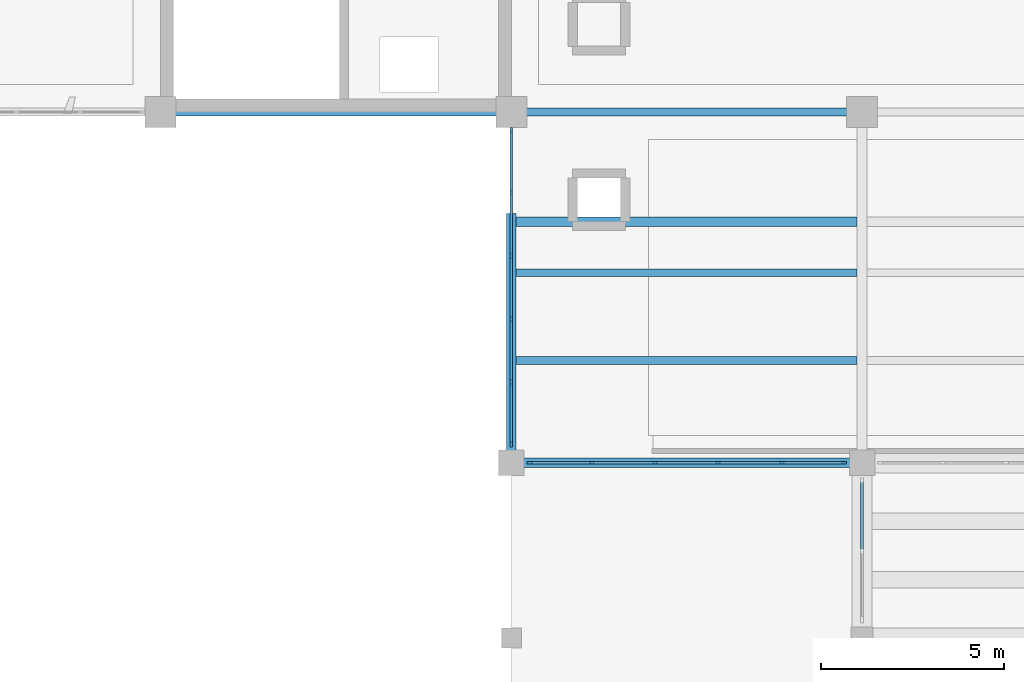
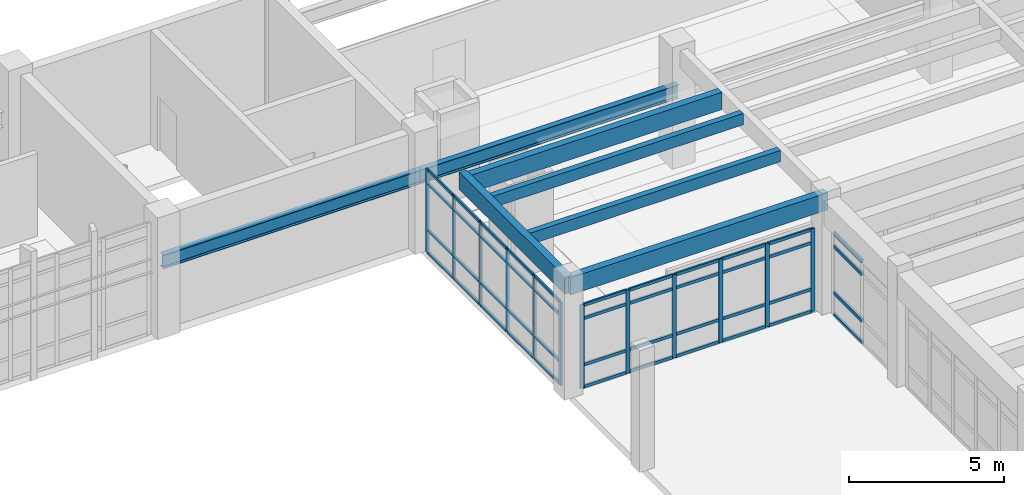
# One storey, part 40 of 86: 56 members, 7 beams, 3 elements without a shape of their own.
"""IFC4 building model written with IfcOpenShell, lengths in metres."""

from ifc_helpers import new_model, si_unit, direction, frame, origin, origin_2d, place, context, subcontext, project, spatial, rectangle, i_section, extrude, material, layer, layer_set, material_profile, profile_set, type_object, element, aggregate, save


model = new_model("IFC4")

# Units and contexts
model_context = context("Model", 3, precision=1e-05, world=origin(), true_north=direction((0.0, 1.0)))
body_context = subcontext(model_context, "Body", "Model", "MODEL_VIEW")
ifc_project = project(units=[si_unit("LENGTHUNIT", "METRE"), si_unit("AREAUNIT", "SQUARE_METRE"), si_unit("VOLUMEUNIT", "CUBIC_METRE"), si_unit("PLANEANGLEUNIT", "RADIAN"), si_unit("MASSUNIT", "GRAM", prefix="KILO")], contexts=[model_context])

# Site, building, storey
site_placement = place(None, origin())
site = spatial("IfcSite", under=ifc_project, at=site_placement, CompositionType="ELEMENT")
building_placement = place(site_placement, origin())
building = spatial("IfcBuilding", under=site, at=building_placement, Name="Kolvemor Railside Polytechnic", CompositionType="ELEMENT")
storey_placement = place(building_placement, frame((0.0, 0.0, 5.39990234375)))
storey = spatial("IfcBuildingStorey", under=building, at=storey_placement, Name="L01", CompositionType="ELEMENT", Elevation=5.39990234375)

# Beams
ifc_material_1 = material(Name="Glulam GL28h", Category="wood")
ifc_material_profile_1 = material_profile(ifc_material_1, rectangle(XDim=0.264892578125, YDim=0.679931640625, at=origin_2d()), Name="GL265x680")
ifc_profile_set_1 = profile_set([ifc_material_profile_1], Name="Glulam GL28h")
beam_type_1 = type_object("IfcBeamType", Name="BM-GL-GIRD2", PredefinedType="BEAM", material=ifc_profile_set_1)
beam_1_placement = place(storey_placement, frame((134.39990234375, 81.60009765625, 4.2451171875), z_axis=(1.0, 0.0, 0.0), x_axis=(0.0, 1.0, 0.0)))
element("IfcBeam", 1, at=beam_1_placement, inside=storey, type_object=beam_type_1, Name="Link Roof Girder GX 1083", PredefinedType="BEAM", context=body_context, shape_type="SweptSolid", body=[
    extrude(rectangle(XDim=0.264892578125, YDim=0.679931640625, at=origin_2d()), origin(), (0.0, 0.0, 1.0), 9.60009765625),
])
beam_2_placement = place(storey_placement, frame((134.532958984375, 88.199951171875, 4.2451171875), z_axis=(1.0, 0.0, 0.0), x_axis=(0.0, 1.0, 0.0)))
element("IfcBeam", 2, at=beam_2_placement, inside=storey, type_object=beam_type_1, Name="Link Roof North Joist 1084", PredefinedType="BEAM", context=body_context, shape_type="SweptSolid", body=[
    extrude(rectangle(XDim=0.264892578125, YDim=0.679931640625, at=origin_2d()), origin(), (0.0, 0.0, 1.0), 9.333984375),
])
beam_3_placement = place(storey_placement, frame((134.39990234375, 81.60009765625, 4.2451171875), z_axis=(0.0, 1.0, 0.0), x_axis=(-1.0, 0.0, 0.0)))
element("IfcBeam", 3, at=beam_3_placement, inside=storey, type_object=beam_type_1, Name="Link Roof Girder GY 1087", PredefinedType="BEAM", context=body_context, shape_type="SweptSolid", body=[
    extrude(rectangle(XDim=0.264892578125, YDim=0.679931640625, at=origin_2d()), origin(), (0.0, 0.0, 1.0), 6.81982421875),
])
ifc_material_2 = material(Name="Glulam GL28h", Category="wood")
ifc_material_profile_2 = material_profile(ifc_material_2, rectangle(XDim=0.215087890625, YDim=0.449951171875, at=origin_2d()), Name="GL215x450")
ifc_profile_set_2 = profile_set([ifc_material_profile_2], Name="Glulam GL28h")
beam_type_2 = type_object("IfcBeamType", Name="BM-GL-JST2", PredefinedType="JOIST", material=ifc_profile_set_2)
for number, where, z_axis, x_axis, name in (
    (4, (134.532958984375, 84.39990234375, 4.360107421875), (1.0, 0.0, 0.0), (0.0, 1.0, 0.0), "Link Roof Joist 1091"),
    (5, (134.532958984375, 86.800048828125, 4.360107421875), (1.0, 0.0, 0.0), (0.0, 1.0, 0.0), "Link Roof Joist 1092"),
):
    element("IfcBeam", number, at=place(storey_placement, frame(where, z_axis=z_axis, x_axis=x_axis)), inside=storey, type_object=beam_type_2, Name=name, PredefinedType="JOIST", context=body_context, shape_type="SweptSolid", body=[
        extrude(rectangle(XDim=0.215087890625, YDim=0.449951171875, at=origin_2d()), origin(), (0.0, 0.0, 1.0), 9.333984375),
    ])
ifc_material_3 = material(Name="Steel S355", Category="steel")
ifc_material_profile_3 = material_profile(ifc_material_3, i_section(OverallWidth=0.2109375, OverallDepth=0.5390625, WebThickness=0.01171875, FlangeThickness=0.018798828125, FilletRadius=0.013916015625, at=origin_2d()), Name="W530x109")
ifc_profile_set_3 = profile_set([ifc_material_profile_3], Name="Steel S355")
beam_type_3 = type_object("IfcBeamType", Name="BM-ST-CRANE2", PredefinedType="BEAM", material=ifc_profile_set_3)
beam_4_placement = place(storey_placement, frame((124.800048828125, 91.199951171875, 2.730712890625), z_axis=(1.0, 0.0, 0.0), x_axis=(0.0, 1.0, 0.0)))
element("IfcBeam", 6, at=beam_4_placement, inside=storey, type_object=beam_type_3, Name="Workshop Header Steel Girder CRG-G12", PredefinedType="BEAM", context=body_context, shape_type="SweptSolid", body=[
    extrude(i_section(OverallWidth=0.2109375, OverallDepth=0.5390625, WebThickness=0.01171875, FlangeThickness=0.018798828125, FilletRadius=0.013916015625, at=origin_2d()), origin(), (0.0, 0.0, 1.0), 9.599853515625),
])
beam_5_placement = place(storey_placement, frame((134.39990234375, 91.199951171875, 2.730712890625), z_axis=(1.0, 0.0, 0.0), x_axis=(0.0, 1.0, 0.0)))
element("IfcBeam", 7, at=beam_5_placement, inside=storey, type_object=beam_type_3, Name="Workshop Header Steel Girder CRG-G13", PredefinedType="BEAM", context=body_context, shape_type="SweptSolid", body=[
    extrude(i_section(OverallWidth=0.2109375, OverallDepth=0.5390625, WebThickness=0.01171875, FlangeThickness=0.018798828125, FilletRadius=0.013916015625, at=origin_2d()), origin(), (0.0, 0.0, 1.0), 9.60009765625),
])

# Curtain wall, members
ifc_material_4 = material(Name="Anodised marine aluminium and laminated low-E glass", Category="aluminium")
ifc_layer = layer(ifc_material_4, 0.179931640625, Name="CW-UNIT-STD")
ifc_layer_set = layer_set([ifc_layer], Name="Anodised marine aluminium and laminated low-E glass")
curtain_wall_type = type_object("IfcCurtainWallType", Name="CW-UNIT-STD", PredefinedType="USERDEFINED", material=ifc_layer_set)
curtain_wall_1_placement = place(storey_placement, origin())
curtain_wall_1 = element("IfcCurtainWall", 8, at=curtain_wall_1_placement, inside=storey, type_object=curtain_wall_type, Name="Curtain Wall L01-039", ObjectType="UNITISED CURTAIN WALL", PredefinedType="USERDEFINED")
ifc_material_5 = material(Name="Anodised marine aluminium 6063-T6", Category="aluminium")
ifc_material_profile_4 = material_profile(ifc_material_5, rectangle(XDim=0.06494140625, YDim=0.14990234375, at=origin_2d()), Name="CW-MUL-65x150")
ifc_profile_set_4 = profile_set([ifc_material_profile_4], Name="Anodised marine aluminium 6063-T6")
member_type_1 = type_object("IfcMemberType", Name="CWM-65x150", PredefinedType="MULLION", material=ifc_profile_set_4)
member_1_placement = place(storey_placement, frame((143.49755859375, 81.60009765625, 0.0), z_axis=(0.0, 0.0, 1.0), x_axis=(0.0, -1.0, 0.0)))
member_1 = element("IfcMember", 9, at=member_1_placement, type_object=member_type_1, Name="CW-STD mullion 1", PredefinedType="MULLION", context=body_context, shape_type="SweptSolid", body=[
    extrude(rectangle(XDim=0.06494140625, YDim=0.14990234375, at=origin_2d()), origin(), (0.0, 0.0, 1.0), 3.280029296875),
])
member_2_placement = place(storey_placement, frame((141.798095703125, 81.60009765625, 0.0), z_axis=(0.0, 0.0, 1.0), x_axis=(0.0, -1.0, 0.0)))
member_2 = element("IfcMember", 10, at=member_2_placement, type_object=member_type_1, Name="CW-STD mullion 2", PredefinedType="MULLION", context=body_context, shape_type="SweptSolid", body=[
    extrude(rectangle(XDim=0.06494140625, YDim=0.14990234375, at=origin_2d()), origin(), (0.0, 0.0, 1.0), 3.280029296875),
])
member_3_placement = place(storey_placement, frame((140.06591796875, 81.60009765625, 0.0), z_axis=(0.0, 0.0, 1.0), x_axis=(0.0, -1.0, 0.0)))
member_3 = element("IfcMember", 11, at=member_3_placement, type_object=member_type_1, Name="CW-STD mullion 3", PredefinedType="MULLION", context=body_context, shape_type="SweptSolid", body=[
    extrude(rectangle(XDim=0.06494140625, YDim=0.14990234375, at=origin_2d()), origin(), (0.0, 0.0, 1.0), 3.280029296875),
])
member_4_placement = place(storey_placement, frame((138.333984375, 81.60009765625, 0.0), z_axis=(0.0, 0.0, 1.0), x_axis=(0.0, -1.0, 0.0)))
member_4 = element("IfcMember", 12, at=member_4_placement, type_object=member_type_1, Name="CW-STD mullion 4", PredefinedType="MULLION", context=body_context, shape_type="SweptSolid", body=[
    extrude(rectangle(XDim=0.06494140625, YDim=0.14990234375, at=origin_2d()), origin(), (0.0, 0.0, 1.0), 3.280029296875),
])
member_5_placement = place(storey_placement, frame((136.60205078125, 81.60009765625, 0.0), z_axis=(0.0, 0.0, 1.0), x_axis=(0.0, -1.0, 0.0)))
member_5 = element("IfcMember", 13, at=member_5_placement, type_object=member_type_1, Name="CW-STD mullion 5", PredefinedType="MULLION", context=body_context, shape_type="SweptSolid", body=[
    extrude(rectangle(XDim=0.06494140625, YDim=0.14990234375, at=origin_2d()), origin(), (0.0, 0.0, 1.0), 3.280029296875),
])
member_6_placement = place(storey_placement, frame((134.902587890625, 81.60009765625, 0.0), z_axis=(0.0, 0.0, 1.0), x_axis=(0.0, -1.0, 0.0)))
member_6 = element("IfcMember", 14, at=member_6_placement, type_object=member_type_1, Name="CW-STD mullion 6", PredefinedType="MULLION", context=body_context, shape_type="SweptSolid", body=[
    extrude(rectangle(XDim=0.06494140625, YDim=0.14990234375, at=origin_2d()), origin(), (0.0, 0.0, 1.0), 3.280029296875),
])

curtain_wall_2_placement = place(storey_placement, origin())
curtain_wall_2 = element("IfcCurtainWall", 15, at=curtain_wall_2_placement, inside=storey, type_object=curtain_wall_type, Name="Curtain Wall L01-045", ObjectType="UNITISED CURTAIN WALL", PredefinedType="USERDEFINED")
member_7_placement = place(storey_placement, frame((134.39990234375, 90.697509765625, 0.0), z_axis=(0.0, 0.0, 1.0), x_axis=(1.0, 0.0, 0.0)))
member_7 = element("IfcMember", 16, at=member_7_placement, type_object=member_type_1, Name="CW-STD mullion 1", PredefinedType="MULLION", context=body_context, shape_type="SweptSolid", body=[
    extrude(rectangle(XDim=0.06494140625, YDim=0.14990234375, at=origin_2d()), origin(), (0.0, 0.0, 1.0), 3.280029296875),
])
member_8_placement = place(storey_placement, frame((134.39990234375, 88.998046875, 0.0), z_axis=(0.0, 0.0, 1.0), x_axis=(1.0, 0.0, 0.0)))
member_8 = element("IfcMember", 17, at=member_8_placement, type_object=member_type_1, Name="CW-STD mullion 2", PredefinedType="MULLION", context=body_context, shape_type="SweptSolid", body=[
    extrude(rectangle(XDim=0.06494140625, YDim=0.14990234375, at=origin_2d()), origin(), (0.0, 0.0, 1.0), 3.280029296875),
])
member_9_placement = place(storey_placement, frame((134.39990234375, 87.26611328125, 0.0), z_axis=(0.0, 0.0, 1.0), x_axis=(1.0, 0.0, 0.0)))
member_9 = element("IfcMember", 18, at=member_9_placement, type_object=member_type_1, Name="CW-STD mullion 3", PredefinedType="MULLION", context=body_context, shape_type="SweptSolid", body=[
    extrude(rectangle(XDim=0.06494140625, YDim=0.14990234375, at=origin_2d()), origin(), (0.0, 0.0, 1.0), 3.280029296875),
])
member_10_placement = place(storey_placement, frame((134.39990234375, 85.533935546875, 0.0), z_axis=(0.0, 0.0, 1.0), x_axis=(1.0, 0.0, 0.0)))
member_10 = element("IfcMember", 19, at=member_10_placement, type_object=member_type_1, Name="CW-STD mullion 4", PredefinedType="MULLION", context=body_context, shape_type="SweptSolid", body=[
    extrude(rectangle(XDim=0.06494140625, YDim=0.14990234375, at=origin_2d()), origin(), (0.0, 0.0, 1.0), 3.280029296875),
])
member_11_placement = place(storey_placement, frame((134.39990234375, 83.802001953125, 0.0), z_axis=(0.0, 0.0, 1.0), x_axis=(1.0, 0.0, 0.0)))
member_11 = element("IfcMember", 20, at=member_11_placement, type_object=member_type_1, Name="CW-STD mullion 5", PredefinedType="MULLION", context=body_context, shape_type="SweptSolid", body=[
    extrude(rectangle(XDim=0.06494140625, YDim=0.14990234375, at=origin_2d()), origin(), (0.0, 0.0, 1.0), 3.280029296875),
])
member_12_placement = place(storey_placement, frame((134.39990234375, 82.1025390625, 0.0), z_axis=(0.0, 0.0, 1.0), x_axis=(1.0, 0.0, 0.0)))
member_12 = element("IfcMember", 21, at=member_12_placement, type_object=member_type_1, Name="CW-STD mullion 6", PredefinedType="MULLION", context=body_context, shape_type="SweptSolid", body=[
    extrude(rectangle(XDim=0.06494140625, YDim=0.14990234375, at=origin_2d()), origin(), (0.0, 0.0, 1.0), 3.280029296875),
])

# Member
ifc_material_6 = material(Name="Anodised marine aluminium 6063-T6", Category="aluminium")
ifc_material_profile_5 = material_profile(ifc_material_6, rectangle(XDim=0.06494140625, YDim=0.1201171875, at=origin_2d()), Name="CW-TRN-65x120")
ifc_profile_set_5 = profile_set([ifc_material_profile_5], Name="Anodised marine aluminium 6063-T6")
member_type_2 = type_object("IfcMemberType", Name="CWT-65x120", PredefinedType="USERDEFINED", material=ifc_profile_set_5)
member_13_placement = place(storey_placement, frame((143.465087890625, 81.60009765625, 0.03271484375), z_axis=(-1.0, 0.0, 0.0), x_axis=(0.0, -1.0, 0.0)))
member_13 = element("IfcMember", 22, at=member_13_placement, type_object=member_type_2, Name="CW-STD transom 1.1", ObjectType="TRANSOM", PredefinedType="USERDEFINED", context=body_context, shape_type="SweptSolid", body=[
    extrude(rectangle(XDim=0.06494140625, YDim=0.1201171875, at=origin_2d()), origin(), (0.0, 0.0, 1.0), 1.634521484375),
])

member_14_placement = place(storey_placement, frame((143.465087890625, 81.60009765625, 0.900146484375), z_axis=(-1.0, 0.0, 0.0), x_axis=(0.0, -1.0, 0.0)))
member_14 = element("IfcMember", 23, at=member_14_placement, type_object=member_type_2, Name="CW-STD transom 1.2", ObjectType="TRANSOM", PredefinedType="USERDEFINED", context=body_context, shape_type="SweptSolid", body=[
    extrude(rectangle(XDim=0.06494140625, YDim=0.1201171875, at=origin_2d()), origin(), (0.0, 0.0, 1.0), 1.634521484375),
])

member_15_placement = place(storey_placement, frame((143.465087890625, 81.60009765625, 2.72998046875), z_axis=(-1.0, 0.0, 0.0), x_axis=(0.0, -1.0, 0.0)))
member_15 = element("IfcMember", 24, at=member_15_placement, type_object=member_type_2, Name="CW-STD transom 1.3", ObjectType="TRANSOM", PredefinedType="USERDEFINED", context=body_context, shape_type="SweptSolid", body=[
    extrude(rectangle(XDim=0.06494140625, YDim=0.1201171875, at=origin_2d()), origin(), (0.0, 0.0, 1.0), 1.634521484375),
])

member_16_placement = place(storey_placement, frame((143.465087890625, 81.60009765625, 3.24755859375), z_axis=(-1.0, 0.0, 0.0), x_axis=(0.0, -1.0, 0.0)))
member_16 = element("IfcMember", 25, at=member_16_placement, type_object=member_type_2, Name="CW-STD transom 1.4", ObjectType="TRANSOM", PredefinedType="USERDEFINED", context=body_context, shape_type="SweptSolid", body=[
    extrude(rectangle(XDim=0.06494140625, YDim=0.1201171875, at=origin_2d()), origin(), (0.0, 0.0, 1.0), 1.634521484375),
])

member_17_placement = place(storey_placement, frame((141.765380859375, 81.60009765625, 0.03271484375), z_axis=(-1.0, 0.0, 0.0), x_axis=(0.0, -1.0, 0.0)))
member_17 = element("IfcMember", 26, at=member_17_placement, type_object=member_type_2, Name="CW-STD transom 2.1", ObjectType="TRANSOM", PredefinedType="USERDEFINED", context=body_context, shape_type="SweptSolid", body=[
    extrude(rectangle(XDim=0.06494140625, YDim=0.1201171875, at=origin_2d()), origin(), (0.0, 0.0, 1.0), 1.6669921875),
])

member_18_placement = place(storey_placement, frame((141.765380859375, 81.60009765625, 0.900146484375), z_axis=(-1.0, 0.0, 0.0), x_axis=(0.0, -1.0, 0.0)))
member_18 = element("IfcMember", 27, at=member_18_placement, type_object=member_type_2, Name="CW-STD transom 2.2", ObjectType="TRANSOM", PredefinedType="USERDEFINED", context=body_context, shape_type="SweptSolid", body=[
    extrude(rectangle(XDim=0.06494140625, YDim=0.1201171875, at=origin_2d()), origin(), (0.0, 0.0, 1.0), 1.6669921875),
])

member_19_placement = place(storey_placement, frame((141.765380859375, 81.60009765625, 2.72998046875), z_axis=(-1.0, 0.0, 0.0), x_axis=(0.0, -1.0, 0.0)))
member_19 = element("IfcMember", 28, at=member_19_placement, type_object=member_type_2, Name="CW-STD transom 2.3", ObjectType="TRANSOM", PredefinedType="USERDEFINED", context=body_context, shape_type="SweptSolid", body=[
    extrude(rectangle(XDim=0.06494140625, YDim=0.1201171875, at=origin_2d()), origin(), (0.0, 0.0, 1.0), 1.6669921875),
])

member_20_placement = place(storey_placement, frame((141.765380859375, 81.60009765625, 3.24755859375), z_axis=(-1.0, 0.0, 0.0), x_axis=(0.0, -1.0, 0.0)))
member_20 = element("IfcMember", 29, at=member_20_placement, type_object=member_type_2, Name="CW-STD transom 2.4", ObjectType="TRANSOM", PredefinedType="USERDEFINED", context=body_context, shape_type="SweptSolid", body=[
    extrude(rectangle(XDim=0.06494140625, YDim=0.1201171875, at=origin_2d()), origin(), (0.0, 0.0, 1.0), 1.6669921875),
])

member_21_placement = place(storey_placement, frame((140.033447265625, 81.60009765625, 0.03271484375), z_axis=(-1.0, 0.0, 0.0), x_axis=(0.0, -1.0, 0.0)))
member_21 = element("IfcMember", 30, at=member_21_placement, type_object=member_type_2, Name="CW-STD transom 3.1", ObjectType="TRANSOM", PredefinedType="USERDEFINED", context=body_context, shape_type="SweptSolid", body=[
    extrude(rectangle(XDim=0.06494140625, YDim=0.1201171875, at=origin_2d()), origin(), (0.0, 0.0, 1.0), 1.6669921875),
])

member_22_placement = place(storey_placement, frame((140.033447265625, 81.60009765625, 0.900146484375), z_axis=(-1.0, 0.0, 0.0), x_axis=(0.0, -1.0, 0.0)))
member_22 = element("IfcMember", 31, at=member_22_placement, type_object=member_type_2, Name="CW-STD transom 3.2", ObjectType="TRANSOM", PredefinedType="USERDEFINED", context=body_context, shape_type="SweptSolid", body=[
    extrude(rectangle(XDim=0.06494140625, YDim=0.1201171875, at=origin_2d()), origin(), (0.0, 0.0, 1.0), 1.6669921875),
])

member_23_placement = place(storey_placement, frame((140.033447265625, 81.60009765625, 2.72998046875), z_axis=(-1.0, 0.0, 0.0), x_axis=(0.0, -1.0, 0.0)))
member_23 = element("IfcMember", 32, at=member_23_placement, type_object=member_type_2, Name="CW-STD transom 3.3", ObjectType="TRANSOM", PredefinedType="USERDEFINED", context=body_context, shape_type="SweptSolid", body=[
    extrude(rectangle(XDim=0.06494140625, YDim=0.1201171875, at=origin_2d()), origin(), (0.0, 0.0, 1.0), 1.6669921875),
])

member_24_placement = place(storey_placement, frame((140.033447265625, 81.60009765625, 3.24755859375), z_axis=(-1.0, 0.0, 0.0), x_axis=(0.0, -1.0, 0.0)))
member_24 = element("IfcMember", 33, at=member_24_placement, type_object=member_type_2, Name="CW-STD transom 3.4", ObjectType="TRANSOM", PredefinedType="USERDEFINED", context=body_context, shape_type="SweptSolid", body=[
    extrude(rectangle(XDim=0.06494140625, YDim=0.1201171875, at=origin_2d()), origin(), (0.0, 0.0, 1.0), 1.6669921875),
])

member_25_placement = place(storey_placement, frame((138.301513671875, 81.60009765625, 0.03271484375), z_axis=(-1.0, 0.0, 0.0), x_axis=(0.0, -1.0, 0.0)))
member_25 = element("IfcMember", 34, at=member_25_placement, type_object=member_type_2, Name="CW-STD transom 4.1", ObjectType="TRANSOM", PredefinedType="USERDEFINED", context=body_context, shape_type="SweptSolid", body=[
    extrude(rectangle(XDim=0.06494140625, YDim=0.1201171875, at=origin_2d()), origin(), (0.0, 0.0, 1.0), 1.6669921875),
])

member_26_placement = place(storey_placement, frame((138.301513671875, 81.60009765625, 0.900146484375), z_axis=(-1.0, 0.0, 0.0), x_axis=(0.0, -1.0, 0.0)))
member_26 = element("IfcMember", 35, at=member_26_placement, type_object=member_type_2, Name="CW-STD transom 4.2", ObjectType="TRANSOM", PredefinedType="USERDEFINED", context=body_context, shape_type="SweptSolid", body=[
    extrude(rectangle(XDim=0.06494140625, YDim=0.1201171875, at=origin_2d()), origin(), (0.0, 0.0, 1.0), 1.6669921875),
])

member_27_placement = place(storey_placement, frame((138.301513671875, 81.60009765625, 2.72998046875), z_axis=(-1.0, 0.0, 0.0), x_axis=(0.0, -1.0, 0.0)))
member_27 = element("IfcMember", 36, at=member_27_placement, type_object=member_type_2, Name="CW-STD transom 4.3", ObjectType="TRANSOM", PredefinedType="USERDEFINED", context=body_context, shape_type="SweptSolid", body=[
    extrude(rectangle(XDim=0.06494140625, YDim=0.1201171875, at=origin_2d()), origin(), (0.0, 0.0, 1.0), 1.6669921875),
])

member_28_placement = place(storey_placement, frame((138.301513671875, 81.60009765625, 3.24755859375), z_axis=(-1.0, 0.0, 0.0), x_axis=(0.0, -1.0, 0.0)))
member_28 = element("IfcMember", 37, at=member_28_placement, type_object=member_type_2, Name="CW-STD transom 4.4", ObjectType="TRANSOM", PredefinedType="USERDEFINED", context=body_context, shape_type="SweptSolid", body=[
    extrude(rectangle(XDim=0.06494140625, YDim=0.1201171875, at=origin_2d()), origin(), (0.0, 0.0, 1.0), 1.6669921875),
])

member_29_placement = place(storey_placement, frame((136.569580078125, 81.60009765625, 0.03271484375), z_axis=(-1.0, 0.0, 0.0), x_axis=(0.0, -1.0, 0.0)))
member_29 = element("IfcMember", 38, at=member_29_placement, type_object=member_type_2, Name="CW-STD transom 5.1", ObjectType="TRANSOM", PredefinedType="USERDEFINED", context=body_context, shape_type="SweptSolid", body=[
    extrude(rectangle(XDim=0.06494140625, YDim=0.1201171875, at=origin_2d()), origin(), (0.0, 0.0, 1.0), 1.634521484375),
])

member_30_placement = place(storey_placement, frame((136.569580078125, 81.60009765625, 0.900146484375), z_axis=(-1.0, 0.0, 0.0), x_axis=(0.0, -1.0, 0.0)))
member_30 = element("IfcMember", 39, at=member_30_placement, type_object=member_type_2, Name="CW-STD transom 5.2", ObjectType="TRANSOM", PredefinedType="USERDEFINED", context=body_context, shape_type="SweptSolid", body=[
    extrude(rectangle(XDim=0.06494140625, YDim=0.1201171875, at=origin_2d()), origin(), (0.0, 0.0, 1.0), 1.634521484375),
])

member_31_placement = place(storey_placement, frame((136.569580078125, 81.60009765625, 2.72998046875), z_axis=(-1.0, 0.0, 0.0), x_axis=(0.0, -1.0, 0.0)))
member_31 = element("IfcMember", 40, at=member_31_placement, type_object=member_type_2, Name="CW-STD transom 5.3", ObjectType="TRANSOM", PredefinedType="USERDEFINED", context=body_context, shape_type="SweptSolid", body=[
    extrude(rectangle(XDim=0.06494140625, YDim=0.1201171875, at=origin_2d()), origin(), (0.0, 0.0, 1.0), 1.634521484375),
])

member_32_placement = place(storey_placement, frame((136.569580078125, 81.60009765625, 3.24755859375), z_axis=(-1.0, 0.0, 0.0), x_axis=(0.0, -1.0, 0.0)))
member_32 = element("IfcMember", 41, at=member_32_placement, type_object=member_type_2, Name="CW-STD transom 5.4", ObjectType="TRANSOM", PredefinedType="USERDEFINED", context=body_context, shape_type="SweptSolid", body=[
    extrude(rectangle(XDim=0.06494140625, YDim=0.1201171875, at=origin_2d()), origin(), (0.0, 0.0, 1.0), 1.634521484375),
])

aggregate(curtain_wall_1, [member_1, member_2, member_3, member_4, member_5, member_6, member_13, member_14, member_15, member_16, member_17, member_18, member_19, member_20, member_21, member_22, member_23, member_24, member_25, member_26, member_27, member_28, member_29, member_30, member_31, member_32])

member_33_placement = place(storey_placement, frame((134.39990234375, 90.6650390625, 0.03271484375), z_axis=(0.0, -1.0, 0.0), x_axis=(1.0, 0.0, 0.0)))
member_33 = element("IfcMember", 42, at=member_33_placement, type_object=member_type_2, Name="CW-STD transom 1.1", ObjectType="TRANSOM", PredefinedType="USERDEFINED", context=body_context, shape_type="SweptSolid", body=[
    extrude(rectangle(XDim=0.06494140625, YDim=0.1201171875, at=origin_2d()), origin(), (0.0, 0.0, 1.0), 1.634521484375),
])

member_34_placement = place(storey_placement, frame((134.39990234375, 90.6650390625, 0.900146484375), z_axis=(0.0, -1.0, 0.0), x_axis=(1.0, 0.0, 0.0)))
member_34 = element("IfcMember", 43, at=member_34_placement, type_object=member_type_2, Name="CW-STD transom 1.2", ObjectType="TRANSOM", PredefinedType="USERDEFINED", context=body_context, shape_type="SweptSolid", body=[
    extrude(rectangle(XDim=0.06494140625, YDim=0.1201171875, at=origin_2d()), origin(), (0.0, 0.0, 1.0), 1.634521484375),
])

member_35_placement = place(storey_placement, frame((134.39990234375, 90.6650390625, 2.72998046875), z_axis=(0.0, -1.0, 0.0), x_axis=(1.0, 0.0, 0.0)))
member_35 = element("IfcMember", 44, at=member_35_placement, type_object=member_type_2, Name="CW-STD transom 1.3", ObjectType="TRANSOM", PredefinedType="USERDEFINED", context=body_context, shape_type="SweptSolid", body=[
    extrude(rectangle(XDim=0.06494140625, YDim=0.1201171875, at=origin_2d()), origin(), (0.0, 0.0, 1.0), 1.634521484375),
])

member_36_placement = place(storey_placement, frame((134.39990234375, 90.6650390625, 3.24755859375), z_axis=(0.0, -1.0, 0.0), x_axis=(1.0, 0.0, 0.0)))
member_36 = element("IfcMember", 45, at=member_36_placement, type_object=member_type_2, Name="CW-STD transom 1.4", ObjectType="TRANSOM", PredefinedType="USERDEFINED", context=body_context, shape_type="SweptSolid", body=[
    extrude(rectangle(XDim=0.06494140625, YDim=0.1201171875, at=origin_2d()), origin(), (0.0, 0.0, 1.0), 1.634521484375),
])

member_37_placement = place(storey_placement, frame((134.39990234375, 88.965576171875, 0.03271484375), z_axis=(0.0, -1.0, 0.0), x_axis=(1.0, 0.0, 0.0)))
member_37 = element("IfcMember", 46, at=member_37_placement, type_object=member_type_2, Name="CW-STD transom 2.1", ObjectType="TRANSOM", PredefinedType="USERDEFINED", context=body_context, shape_type="SweptSolid", body=[
    extrude(rectangle(XDim=0.06494140625, YDim=0.1201171875, at=origin_2d()), origin(), (0.0, 0.0, 1.0), 1.6669921875),
])

member_38_placement = place(storey_placement, frame((134.39990234375, 88.965576171875, 0.900146484375), z_axis=(0.0, -1.0, 0.0), x_axis=(1.0, 0.0, 0.0)))
member_38 = element("IfcMember", 47, at=member_38_placement, type_object=member_type_2, Name="CW-STD transom 2.2", ObjectType="TRANSOM", PredefinedType="USERDEFINED", context=body_context, shape_type="SweptSolid", body=[
    extrude(rectangle(XDim=0.06494140625, YDim=0.1201171875, at=origin_2d()), origin(), (0.0, 0.0, 1.0), 1.6669921875),
])

member_39_placement = place(storey_placement, frame((134.39990234375, 88.965576171875, 2.72998046875), z_axis=(0.0, -1.0, 0.0), x_axis=(1.0, 0.0, 0.0)))
member_39 = element("IfcMember", 48, at=member_39_placement, type_object=member_type_2, Name="CW-STD transom 2.3", ObjectType="TRANSOM", PredefinedType="USERDEFINED", context=body_context, shape_type="SweptSolid", body=[
    extrude(rectangle(XDim=0.06494140625, YDim=0.1201171875, at=origin_2d()), origin(), (0.0, 0.0, 1.0), 1.6669921875),
])

member_40_placement = place(storey_placement, frame((134.39990234375, 88.965576171875, 3.24755859375), z_axis=(0.0, -1.0, 0.0), x_axis=(1.0, 0.0, 0.0)))
member_40 = element("IfcMember", 49, at=member_40_placement, type_object=member_type_2, Name="CW-STD transom 2.4", ObjectType="TRANSOM", PredefinedType="USERDEFINED", context=body_context, shape_type="SweptSolid", body=[
    extrude(rectangle(XDim=0.06494140625, YDim=0.1201171875, at=origin_2d()), origin(), (0.0, 0.0, 1.0), 1.6669921875),
])

member_41_placement = place(storey_placement, frame((134.39990234375, 87.2333984375, 0.03271484375), z_axis=(0.0, -1.0, 0.0), x_axis=(1.0, 0.0, 0.0)))
member_41 = element("IfcMember", 50, at=member_41_placement, type_object=member_type_2, Name="CW-STD transom 3.1", ObjectType="TRANSOM", PredefinedType="USERDEFINED", context=body_context, shape_type="SweptSolid", body=[
    extrude(rectangle(XDim=0.06494140625, YDim=0.1201171875, at=origin_2d()), origin(), (0.0, 0.0, 1.0), 1.6669921875),
])

member_42_placement = place(storey_placement, frame((134.39990234375, 87.2333984375, 0.900146484375), z_axis=(0.0, -1.0, 0.0), x_axis=(1.0, 0.0, 0.0)))
member_42 = element("IfcMember", 51, at=member_42_placement, type_object=member_type_2, Name="CW-STD transom 3.2", ObjectType="TRANSOM", PredefinedType="USERDEFINED", context=body_context, shape_type="SweptSolid", body=[
    extrude(rectangle(XDim=0.06494140625, YDim=0.1201171875, at=origin_2d()), origin(), (0.0, 0.0, 1.0), 1.6669921875),
])

member_43_placement = place(storey_placement, frame((134.39990234375, 87.2333984375, 2.72998046875), z_axis=(0.0, -1.0, 0.0), x_axis=(1.0, 0.0, 0.0)))
member_43 = element("IfcMember", 52, at=member_43_placement, type_object=member_type_2, Name="CW-STD transom 3.3", ObjectType="TRANSOM", PredefinedType="USERDEFINED", context=body_context, shape_type="SweptSolid", body=[
    extrude(rectangle(XDim=0.06494140625, YDim=0.1201171875, at=origin_2d()), origin(), (0.0, 0.0, 1.0), 1.6669921875),
])

member_44_placement = place(storey_placement, frame((134.39990234375, 87.2333984375, 3.24755859375), z_axis=(0.0, -1.0, 0.0), x_axis=(1.0, 0.0, 0.0)))
member_44 = element("IfcMember", 53, at=member_44_placement, type_object=member_type_2, Name="CW-STD transom 3.4", ObjectType="TRANSOM", PredefinedType="USERDEFINED", context=body_context, shape_type="SweptSolid", body=[
    extrude(rectangle(XDim=0.06494140625, YDim=0.1201171875, at=origin_2d()), origin(), (0.0, 0.0, 1.0), 1.6669921875),
])

member_45_placement = place(storey_placement, frame((134.39990234375, 85.50146484375, 0.03271484375), z_axis=(0.0, -1.0, 0.0), x_axis=(1.0, 0.0, 0.0)))
member_45 = element("IfcMember", 54, at=member_45_placement, type_object=member_type_2, Name="CW-STD transom 4.1", ObjectType="TRANSOM", PredefinedType="USERDEFINED", context=body_context, shape_type="SweptSolid", body=[
    extrude(rectangle(XDim=0.06494140625, YDim=0.1201171875, at=origin_2d()), origin(), (0.0, 0.0, 1.0), 1.6669921875),
])

member_46_placement = place(storey_placement, frame((134.39990234375, 85.50146484375, 0.900146484375), z_axis=(0.0, -1.0, 0.0), x_axis=(1.0, 0.0, 0.0)))
member_46 = element("IfcMember", 55, at=member_46_placement, type_object=member_type_2, Name="CW-STD transom 4.2", ObjectType="TRANSOM", PredefinedType="USERDEFINED", context=body_context, shape_type="SweptSolid", body=[
    extrude(rectangle(XDim=0.06494140625, YDim=0.1201171875, at=origin_2d()), origin(), (0.0, 0.0, 1.0), 1.6669921875),
])

member_47_placement = place(storey_placement, frame((134.39990234375, 85.50146484375, 2.72998046875), z_axis=(0.0, -1.0, 0.0), x_axis=(1.0, 0.0, 0.0)))
member_47 = element("IfcMember", 56, at=member_47_placement, type_object=member_type_2, Name="CW-STD transom 4.3", ObjectType="TRANSOM", PredefinedType="USERDEFINED", context=body_context, shape_type="SweptSolid", body=[
    extrude(rectangle(XDim=0.06494140625, YDim=0.1201171875, at=origin_2d()), origin(), (0.0, 0.0, 1.0), 1.6669921875),
])

member_48_placement = place(storey_placement, frame((134.39990234375, 85.50146484375, 3.24755859375), z_axis=(0.0, -1.0, 0.0), x_axis=(1.0, 0.0, 0.0)))
member_48 = element("IfcMember", 57, at=member_48_placement, type_object=member_type_2, Name="CW-STD transom 4.4", ObjectType="TRANSOM", PredefinedType="USERDEFINED", context=body_context, shape_type="SweptSolid", body=[
    extrude(rectangle(XDim=0.06494140625, YDim=0.1201171875, at=origin_2d()), origin(), (0.0, 0.0, 1.0), 1.6669921875),
])

member_49_placement = place(storey_placement, frame((134.39990234375, 83.76953125, 0.03271484375), z_axis=(0.0, -1.0, 0.0), x_axis=(1.0, 0.0, 0.0)))
member_49 = element("IfcMember", 58, at=member_49_placement, type_object=member_type_2, Name="CW-STD transom 5.1", ObjectType="TRANSOM", PredefinedType="USERDEFINED", context=body_context, shape_type="SweptSolid", body=[
    extrude(rectangle(XDim=0.06494140625, YDim=0.1201171875, at=origin_2d()), origin(), (0.0, 0.0, 1.0), 1.634521484375),
])

member_50_placement = place(storey_placement, frame((134.39990234375, 83.76953125, 0.900146484375), z_axis=(0.0, -1.0, 0.0), x_axis=(1.0, 0.0, 0.0)))
member_50 = element("IfcMember", 59, at=member_50_placement, type_object=member_type_2, Name="CW-STD transom 5.2", ObjectType="TRANSOM", PredefinedType="USERDEFINED", context=body_context, shape_type="SweptSolid", body=[
    extrude(rectangle(XDim=0.06494140625, YDim=0.1201171875, at=origin_2d()), origin(), (0.0, 0.0, 1.0), 1.634521484375),
])

member_51_placement = place(storey_placement, frame((134.39990234375, 83.76953125, 2.72998046875), z_axis=(0.0, -1.0, 0.0), x_axis=(1.0, 0.0, 0.0)))
member_51 = element("IfcMember", 60, at=member_51_placement, type_object=member_type_2, Name="CW-STD transom 5.3", ObjectType="TRANSOM", PredefinedType="USERDEFINED", context=body_context, shape_type="SweptSolid", body=[
    extrude(rectangle(XDim=0.06494140625, YDim=0.1201171875, at=origin_2d()), origin(), (0.0, 0.0, 1.0), 1.634521484375),
])

member_52_placement = place(storey_placement, frame((134.39990234375, 83.76953125, 3.24755859375), z_axis=(0.0, -1.0, 0.0), x_axis=(1.0, 0.0, 0.0)))
member_52 = element("IfcMember", 61, at=member_52_placement, type_object=member_type_2, Name="CW-STD transom 5.4", ObjectType="TRANSOM", PredefinedType="USERDEFINED", context=body_context, shape_type="SweptSolid", body=[
    extrude(rectangle(XDim=0.06494140625, YDim=0.1201171875, at=origin_2d()), origin(), (0.0, 0.0, 1.0), 1.634521484375),
])

aggregate(curtain_wall_2, [member_7, member_8, member_9, member_10, member_11, member_12, member_33, member_34, member_35, member_36, member_37, member_38, member_39, member_40, member_41, member_42, member_43, member_44, member_45, member_46, member_47, member_48, member_49, member_50, member_51, member_52])

# Curtain wall, members
curtain_wall_3_placement = place(storey_placement, origin())
curtain_wall_3 = element("IfcCurtainWall", 62, at=curtain_wall_3_placement, inside=storey, type_object=curtain_wall_type, Name="Curtain Wall L01-093", ObjectType="UNITISED CURTAIN WALL", PredefinedType="USERDEFINED")
ifc_material_7 = material(Name="Anodised marine aluminium 6063-T6", Category="aluminium")
ifc_material_profile_6 = material_profile(ifc_material_7, rectangle(XDim=0.074951171875, YDim=0.139892578125, at=origin_2d()), Name="CW-TRN-75x140")
ifc_profile_set_6 = profile_set([ifc_material_profile_6], Name="Anodised marine aluminium 6063-T6")
member_type_3 = type_object("IfcMemberType", Name="CWT-75x140", PredefinedType="USERDEFINED", material=ifc_profile_set_6)
member_53_placement = place(storey_placement, frame((144.0, 81.054931640625, 0.03759765625), z_axis=(0.0, -1.0, 0.0), x_axis=(1.0, 0.0, 0.0)))
member_53 = element("IfcMember", 63, at=member_53_placement, type_object=member_type_3, Name="CW-STD transom 1.1", ObjectType="TRANSOM", PredefinedType="USERDEFINED", context=body_context, shape_type="SweptSolid", body=[
    extrude(rectangle(XDim=0.074951171875, YDim=0.139892578125, at=origin_2d()), origin(), (0.0, 0.0, 1.0), 1.8173828125),
])
member_54_placement = place(storey_placement, frame((144.0, 81.054931640625, 0.900146484375), z_axis=(0.0, -1.0, 0.0), x_axis=(1.0, 0.0, 0.0)))
member_54 = element("IfcMember", 64, at=member_54_placement, type_object=member_type_3, Name="CW-STD transom 1.2", ObjectType="TRANSOM", PredefinedType="USERDEFINED", context=body_context, shape_type="SweptSolid", body=[
    extrude(rectangle(XDim=0.074951171875, YDim=0.139892578125, at=origin_2d()), origin(), (0.0, 0.0, 1.0), 1.8173828125),
])
member_55_placement = place(storey_placement, frame((144.0, 81.054931640625, 2.72998046875), z_axis=(0.0, -1.0, 0.0), x_axis=(1.0, 0.0, 0.0)))
member_55 = element("IfcMember", 65, at=member_55_placement, type_object=member_type_3, Name="CW-STD transom 1.3", ObjectType="TRANSOM", PredefinedType="USERDEFINED", context=body_context, shape_type="SweptSolid", body=[
    extrude(rectangle(XDim=0.074951171875, YDim=0.139892578125, at=origin_2d()), origin(), (0.0, 0.0, 1.0), 1.8173828125),
])
member_56_placement = place(storey_placement, frame((144.0, 81.054931640625, 3.24267578125), z_axis=(0.0, -1.0, 0.0), x_axis=(1.0, 0.0, 0.0)))
member_56 = element("IfcMember", 66, at=member_56_placement, type_object=member_type_3, Name="CW-STD transom 1.4", ObjectType="TRANSOM", PredefinedType="USERDEFINED", context=body_context, shape_type="SweptSolid", body=[
    extrude(rectangle(XDim=0.074951171875, YDim=0.139892578125, at=origin_2d()), origin(), (0.0, 0.0, 1.0), 1.8173828125),
])
aggregate(curtain_wall_3, [member_53, member_54, member_55, member_56])

save(model, "model.ifc")
